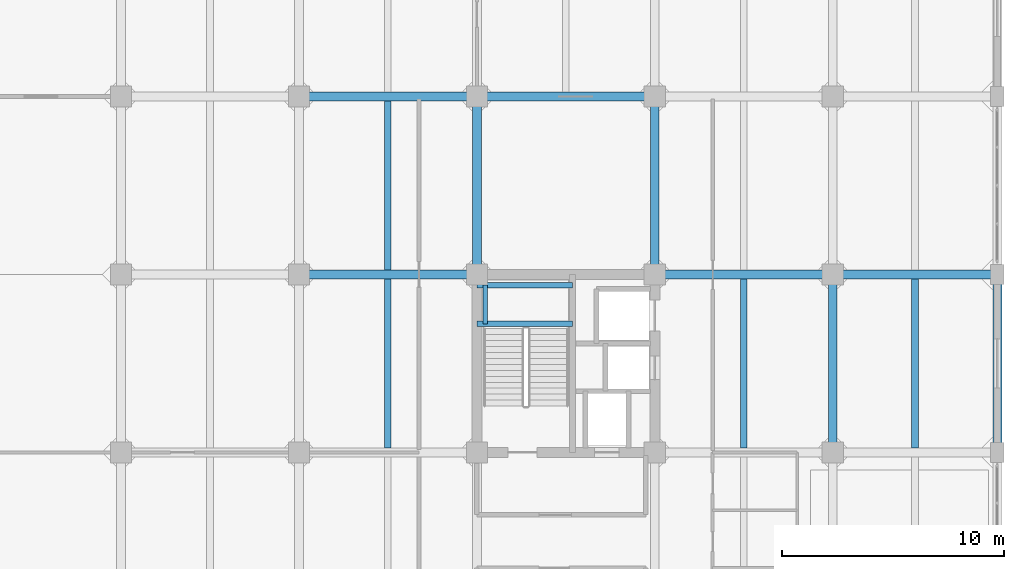
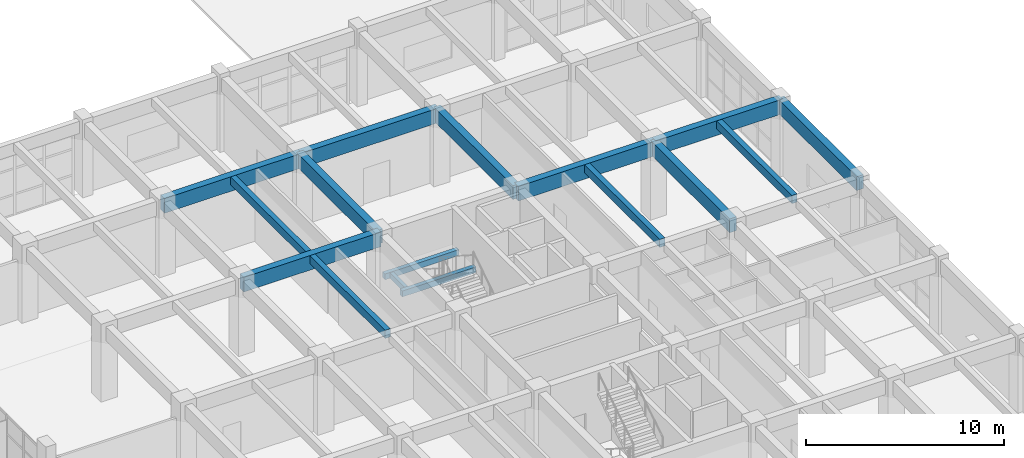
# One storey, part 35 of 63: 16 beams.
"""IFC4 building model written with IfcOpenShell, lengths in metres."""

import ifcopenshell
import ifcopenshell.guid

model = None  # the IFC model being written
_history = None  # IfcOwnerHistory: only IFC2X3 demands one
_inside = {}  # id of a spatial element -> (the spatial element, [elements in it])
_under = {}  # id of a project, library or spatial element -> (it, [spatial elements below it])
_declared = {}  # id of a project -> (the project, [libraries it declares])
_typed = {}  # id of a type object -> (the type object, [elements of that type])
_made_of = {}  # id of a material, layer set ... -> (it, [elements and type objects made of it])


def new_model(schema):
    """Start an empty IFC model of exactly this schema.

    Asked for "IFC4X3", IfcOpenShell would pick the latest addendum, in which some entities
    have other attributes; the version numbers below select the first issue.
    IFC2X3 requires an IfcOwnerHistory on every rooted entity: one is made here for all.
    """
    global model, _history
    if schema == "IFC4X3":
        model = ifcopenshell.file(schema_version=(4, 3, 0, 0))
    else:
        model = ifcopenshell.file(schema=schema)
    _inside.clear()
    _under.clear()
    _declared.clear()
    _typed.clear()
    _made_of.clear()
    _history = None
    if model.schema == "IFC2X3":
        org = make("IfcOrganization", Name="unknown")
        user = make(
            "IfcPersonAndOrganization",
            ThePerson=make("IfcPerson", FamilyName="unknown"),
            TheOrganization=org,
        )
        app = make(
            "IfcApplication",
            ApplicationDeveloper=org,
            Version="unknown",
            ApplicationFullName="unknown",
            ApplicationIdentifier="unknown",
        )
        _history = make(
            "IfcOwnerHistory",
            OwningUser=user,
            OwningApplication=app,
            ChangeAction="ADDED",
            CreationDate=0,
        )
    return model


def make(cls, **values):
    """One entity of the class cls with the attributes given. An attribute that is None is left unset."""
    return model.create_entity(
        cls, **{name: value for name, value in values.items() if value is not None}
    )


def rooted(cls, **values):
    """An entity with a GlobalId (a new one), such as an element, a storey or a relation."""
    return make(cls, GlobalId=ifcopenshell.guid.new(), OwnerHistory=_history, **values)


def si_unit(unit_type, name, prefix=None):
    """IfcSIUnit, for example si_unit("LENGTHUNIT", "METRE", prefix="MILLI")."""
    return make("IfcSIUnit", UnitType=unit_type, Prefix=prefix, Name=name)


def assignment(units):
    """IfcUnitAssignment: the units of a project."""
    return None if units is None else make("IfcUnitAssignment", Units=units)


def point(xyz):
    """IfcCartesianPoint."""
    return None if xyz is None else make("IfcCartesianPoint", Coordinates=xyz)


def direction(xyz):
    """IfcDirection."""
    return None if xyz is None else make("IfcDirection", DirectionRatios=xyz)


def frame(location, z_axis=None, x_axis=None):
    """IfcAxis2Placement3D, a coordinate frame: its origin and axes. An axis left out is left unset."""
    return make(
        "IfcAxis2Placement3D",
        Location=point(location),
        Axis=direction(z_axis),
        RefDirection=direction(x_axis),
    )


def frame_2d(location, x_axis=None):
    """IfcAxis2Placement2D, a coordinate frame in the plane: its origin and x axis."""
    return make(
        "IfcAxis2Placement2D", Location=point(location), RefDirection=direction(x_axis)
    )


def origin():
    """The frame at (0, 0, 0) with its axes left unset."""
    return frame((0.0, 0.0, 0.0))


def origin_2d():
    """The frame at (0, 0) in the plane with its x axis left unset."""
    return frame_2d((0.0, 0.0))


def place(relative_to, where):
    """IfcLocalPlacement: puts the frame where relative to a parent placement (None: the world)."""
    return make(
        "IfcLocalPlacement", PlacementRelTo=relative_to, RelativePlacement=where
    )


def context(
    kind, dimensions, precision=None, world=None, true_north=None, identifier=None
):
    """IfcGeometricRepresentationContext, for example the 3D "Model" context."""
    return make(
        "IfcGeometricRepresentationContext",
        ContextIdentifier=identifier,
        ContextType=kind,
        CoordinateSpaceDimension=dimensions,
        Precision=precision,
        WorldCoordinateSystem=world,
        TrueNorth=true_north,
    )


def subcontext(parent, identifier, kind, view, scale=None):
    """IfcGeometricRepresentationSubContext, for example "Body" below "Model"."""
    return make(
        "IfcGeometricRepresentationSubContext",
        ContextIdentifier=identifier,
        ContextType=kind,
        ParentContext=parent,
        TargetScale=scale,
        TargetView=view,
    )


def project(units=None, contexts=None):
    """IfcProject with its units and contexts."""
    return rooted(
        "IfcProject",
        Name="project",
        RepresentationContexts=contexts,
        UnitsInContext=assignment(units),
    )


def spatial(cls, under=None, at=None, **own):
    """A site, building, storey or space (cls), placed at a placement, below another one or the project."""
    s = rooted(cls, ObjectPlacement=at, **own)
    if under is not None:
        _under.setdefault(under.id(), (under, []))[1].append(s)
    return s


def profile(cls, at=None, kind="AREA", **sizes):
    """A parametric profile (cls). Its sizes go by their IFC names, for example OverallWidth=200.0."""
    return make(cls, ProfileType=kind, Position=at, **sizes)


def rectangle(**sizes):
    """IfcRectangleProfileDef."""
    return profile("IfcRectangleProfileDef", **sizes)


def extrude(swept, where, along, depth):
    """IfcExtrudedAreaSolid: the profile swept, set in the frame where, extruded along a direction by depth."""
    return make(
        "IfcExtrudedAreaSolid",
        SweptArea=swept,
        Position=where,
        ExtrudedDirection=direction(along),
        Depth=depth,
    )


def shape(context_of_items, identifier, shape_type, items):
    """IfcShapeRepresentation: the items that make up one representation, for example the "Body"."""
    return make(
        "IfcShapeRepresentation",
        ContextOfItems=context_of_items,
        RepresentationIdentifier=identifier,
        RepresentationType=shape_type,
        Items=items,
    )


def material(Name=None, Category=None):
    """IfcMaterial."""
    return make("IfcMaterial", Name=Name, Category=Category)


def material_profile(
    of_material, cross_section, Name=None, Category=None, Priority=None
):
    """IfcMaterialProfile: a cross section and its material."""
    return make(
        "IfcMaterialProfile",
        Name=Name,
        Material=of_material,
        Profile=cross_section,
        Priority=Priority,
        Category=Category,
    )


def profile_set(profiles, Name=None, composite=None):
    """IfcMaterialProfileSet."""
    return make(
        "IfcMaterialProfileSet",
        Name=Name,
        MaterialProfiles=profiles,
        CompositeProfile=composite,
    )


def made_of(thing, what):
    """Note that an element or type object is made of a material, layer set ...; save() writes the relation."""
    if what is not None:
        _made_of.setdefault(what.id(), (what, []))[1].append(thing)
    return thing


def type_object(cls, material=None, **own):
    """A type object (cls), such as IfcWallType, which elements share."""
    return made_of(rooted(cls, **own), material)


def element(
    cls,
    number,
    at=None,
    inside=None,
    cuts=None,
    type_object=None,
    material=None,
    context=None,
    identifier="Body",
    shape_type=None,
    held_by="IfcProductDefinitionShape",
    body=None,
    shapes=None,
    **own,
):
    """One element of the class cls, such as IfcWall. Its Tag is "e" and its number.

    at: its placement. inside: the storey or other place that contains it. cuts: it is an
    opening in that element (IfcRelVoidsElement). A single representation is given by context,
    identifier, shape_type and body (its items); several are given by shapes. held_by: the class
    of the entity that holds the representations. save() writes the other relations.
    """
    e = rooted(cls, Tag="e%d" % number, ObjectPlacement=at, **own)
    if body is not None:
        shapes = [shape(context, identifier, shape_type, body)]
    if shapes is not None:
        e.Representation = make(held_by, Representations=shapes)
    if inside is not None:
        _inside.setdefault(inside.id(), (inside, []))[1].append(e)
    if cuts is not None:
        rooted(
            "IfcRelVoidsElement", RelatingBuildingElement=cuts, RelatedOpeningElement=e
        )
    if type_object is not None:
        _typed.setdefault(type_object.id(), (type_object, []))[1].append(e)
    return made_of(e, material)


def aggregate(whole, parts):
    """IfcRelAggregates: a whole, such as a stair, and the parts it consists of."""
    return rooted("IfcRelAggregates", RelatingObject=whole, RelatedObjects=parts)


def save(model, path):
    """Write the relations noted so far, then the file.

    IfcRelAggregates (storeys below a building ...), IfcRelContainedInSpatialStructure (elements
    in a storey), IfcRelDefinesByType, IfcRelAssociatesMaterial and IfcRelDeclares: one each for
    every whole, place, type object, material and project.
    """
    for whole, parts in _under.values():
        aggregate(whole, parts)
    for where, things in _inside.values():
        rooted(
            "IfcRelContainedInSpatialStructure",
            RelatedElements=things,
            RelatingStructure=where,
        )
    for kind, things in _typed.values():
        rooted("IfcRelDefinesByType", RelatedObjects=things, RelatingType=kind)
    for what, things in _made_of.values():
        rooted("IfcRelAssociatesMaterial", RelatedObjects=things, RelatingMaterial=what)
    for by, libraries in _declared.values():
        rooted("IfcRelDeclares", RelatingContext=by, RelatedDefinitions=libraries)
    model.write(path)


model = new_model("IFC4")

# Units and contexts
model_context = context("Model", 3, precision=1e-05, world=origin(), true_north=direction((0.0, 1.0)))
body_context = subcontext(model_context, "Body", "Model", "MODEL_VIEW")
ifc_project = project(units=[si_unit("LENGTHUNIT", "METRE"), si_unit("AREAUNIT", "SQUARE_METRE"), si_unit("VOLUMEUNIT", "CUBIC_METRE"), si_unit("PLANEANGLEUNIT", "RADIAN"), si_unit("MASSUNIT", "GRAM", prefix="KILO")], contexts=[model_context])

# Site, building, storey
site_placement = place(None, origin())
site = spatial("IfcSite", under=ifc_project, at=site_placement, CompositionType="ELEMENT")
building_placement = place(site_placement, origin())
building = spatial("IfcBuilding", under=site, at=building_placement, Name="Canggui Botanical Conservatory", CompositionType="ELEMENT")
storey_placement = place(building_placement, frame((0.0, 0.0, 10.199951171875)))
storey = spatial("IfcBuildingStorey", under=building, at=storey_placement, Name="L03", CompositionType="ELEMENT", Elevation=10.199951171875)

# Beams
ifc_material = material(Name="Concrete C35", Category="concrete")
ifc_material_profile_1 = material_profile(ifc_material, rectangle(XDim=0.300048828125, YDim=0.5, at=origin_2d()), Name="RB 300x500")
ifc_profile_set_1 = profile_set([ifc_material_profile_1], Name="Concrete C35")
beam_type_1 = type_object("IfcBeamType", Name="BM-JST02", PredefinedType="JOIST", material=ifc_profile_set_1)
for number, where, z_axis, x_axis, name in (
    (1, (150.0, 58.205078125, 4.300048828125), (0.0, 1.0, 0.0), (-1.0, 0.0, 0.0), "Secondary Floor Joist L03-2-5"),
    (2, (150.0, 66.205078125, 4.300048828125), (0.0, 1.0, 0.0), (-1.0, 0.0, 0.0), "Secondary Floor Joist L03-2-6"),
    (3, (166.0, 58.205078125, 4.300048828125), (0.0, 1.0, 0.0), (-1.0, 0.0, 0.0), "Secondary Floor Joist L03-4-5"),
    (4, (173.699951171875, 58.205078125, 4.300048828125), (0.0, 1.0, 0.0), (-1.0, 0.0, 0.0), "Secondary Floor Joist L03-5-5"),
):
    element("IfcBeam", number, at=place(storey_placement, frame(where, z_axis=z_axis, x_axis=x_axis)), inside=storey, type_object=beam_type_1, Name=name, PredefinedType="JOIST", context=body_context, shape_type="SweptSolid", body=[
        extrude(rectangle(XDim=0.300048828125, YDim=0.5, at=origin_2d()), origin(), (0.0, 0.0, 1.0), 7.58984375),
    ])
ifc_material_profile_2 = material_profile(ifc_material, rectangle(XDim=0.39990234375, YDim=0.89990234375, at=origin_2d()), Name="RB 400x900")
ifc_profile_set_2 = profile_set([ifc_material_profile_2], Name="Concrete C35")
beam_type_2 = type_object("IfcBeamType", Name="BM-KL07", PredefinedType="BEAM", material=ifc_profile_set_2)
for number, where, z_axis, x_axis, name in (
    (5, (146.0, 66.0, 4.10009765625), (1.0, 0.0, 0.0), (0.0, 1.0, 0.0), "Frame Girder L03 Y66-2"),
    (6, (162.0, 66.0, 4.10009765625), (1.0, 0.0, 0.0), (0.0, 1.0, 0.0), "Frame Girder L03 Y66-4"),
):
    element("IfcBeam", number, at=place(storey_placement, frame(where, z_axis=z_axis, x_axis=x_axis)), inside=storey, type_object=beam_type_2, Name=name, PredefinedType="BEAM", context=body_context, shape_type="SweptSolid", body=[
        extrude(rectangle(XDim=0.39990234375, YDim=0.89990234375, at=origin_2d()), origin(), (0.0, 0.0, 1.0), 8.0),
    ])
beam_1_placement = place(storey_placement, frame((170.0, 66.0, 4.10009765625), z_axis=(1.0, 0.0, 0.0), x_axis=(0.0, 1.0, 0.0)))
element("IfcBeam", 7, at=beam_1_placement, inside=storey, type_object=beam_type_2, Name="Frame Girder L03 Y66-5", PredefinedType="BEAM", context=body_context, shape_type="SweptSolid", body=[
    extrude(rectangle(XDim=0.39990234375, YDim=0.89990234375, at=origin_2d()), origin(), (0.0, 0.0, 1.0), 7.39990234375),
])
for number, where, z_axis, x_axis, name in (
    (8, (146.0, 74.0, 4.10009765625), (1.0, 0.0, 0.0), (0.0, 1.0, 0.0), "Frame Girder L03 Y74-2"),
    (9, (154.0, 74.0, 4.10009765625), (1.0, 0.0, 0.0), (0.0, 1.0, 0.0), "Frame Girder L03 Y74-3"),
):
    element("IfcBeam", number, at=place(storey_placement, frame(where, z_axis=z_axis, x_axis=x_axis)), inside=storey, type_object=beam_type_2, Name=name, PredefinedType="BEAM", context=body_context, shape_type="SweptSolid", body=[
        extrude(rectangle(XDim=0.39990234375, YDim=0.89990234375, at=origin_2d()), origin(), (0.0, 0.0, 1.0), 8.0),
    ])
ifc_material_profile_3 = material_profile(ifc_material, rectangle(XDim=0.39990234375, YDim=0.85009765625, at=origin_2d()), Name="RB 400x850")
ifc_profile_set_3 = profile_set([ifc_material_profile_3], Name="Concrete C35")
beam_type_3 = type_object("IfcBeamType", Name="BM-KL08", PredefinedType="BEAM", material=ifc_profile_set_3)
for number, where, z_axis, x_axis, name in (
    (10, (154.0, 66.0, 4.125), (0.0, 1.0, 0.0), (-1.0, 0.0, 0.0), "Frame Girder L03 X154-6"),
    (11, (162.0, 66.0, 4.125), (0.0, 1.0, 0.0), (-1.0, 0.0, 0.0), "Frame Girder L03 X162-6"),
    (12, (170.0, 58.0, 4.125), (0.0, 1.0, 0.0), (-1.0, 0.0, 0.0), "Frame Girder L03 X170-5"),
    (13, (177.39990234375, 58.0, 4.125), (0.0, 1.0, 0.0), (-1.0, 0.0, 0.0), "Frame Girder L03 X178-5"),
):
    element("IfcBeam", number, at=place(storey_placement, frame(where, z_axis=z_axis, x_axis=x_axis)), inside=storey, type_object=beam_type_3, Name=name, PredefinedType="BEAM", context=body_context, shape_type="SweptSolid", body=[
        extrude(rectangle(XDim=0.39990234375, YDim=0.85009765625, at=origin_2d()), origin(), (0.0, 0.0, 1.0), 8.0),
    ])
ifc_material_profile_4 = material_profile(ifc_material, rectangle(XDim=0.239990234375, YDim=0.360107421875, at=origin_2d()), Name="RB 240x360")
ifc_profile_set_4 = profile_set([ifc_material_profile_4], Name="Concrete C35")
beam_type_4 = type_object("IfcBeamType", Name="BM-LIN01", PredefinedType="LINTEL", material=ifc_profile_set_4)
for number, where, z_axis, x_axis, name in (
    (14, (154.0, 63.783447265625, 2.02001953125), (1.0, 0.0, 0.0), (0.0, 1.0, 0.0), "ST-T2 Half-Landing Ledger Beam L03-1.1"),
    (15, (154.0, 65.52001953125, 2.02001953125), (1.0, 0.0, 0.0), (0.0, 1.0, 0.0), "ST-T2 Half-Landing Ledger Beam L03-1.2"),
):
    element("IfcBeam", number, at=place(storey_placement, frame(where, z_axis=z_axis, x_axis=x_axis)), inside=storey, type_object=beam_type_4, Name=name, PredefinedType="LINTEL", context=body_context, shape_type="SweptSolid", body=[
        extrude(rectangle(XDim=0.239990234375, YDim=0.360107421875, at=origin_2d()), origin(), (0.0, 0.0, 1.0), 4.300048828125),
    ])
ifc_material_profile_5 = material_profile(ifc_material, rectangle(XDim=0.199951171875, YDim=0.320068359375, at=origin_2d()), Name="RB 200x320")
ifc_profile_set_5 = profile_set([ifc_material_profile_5], Name="Concrete C35")
beam_type_5 = type_object("IfcBeamType", Name="BM-LIN02", PredefinedType="LINTEL", material=ifc_profile_set_5)
beam_2_placement = place(storey_placement, frame((154.3798828125, 63.783447265625, 2.02001953125), z_axis=(0.0, 1.0, 0.0), x_axis=(-1.0, 0.0, 0.0)))
element("IfcBeam", 16, at=beam_2_placement, inside=storey, type_object=beam_type_5, Name="ST-T2 Half-Landing Edge Ledger L03-1.3", PredefinedType="LINTEL", context=body_context, shape_type="SweptSolid", body=[
    extrude(rectangle(XDim=0.199951171875, YDim=0.320068359375, at=origin_2d()), origin(), (0.0, 0.0, 1.0), 1.736572265625),
])

save(model, "model.ifc")
